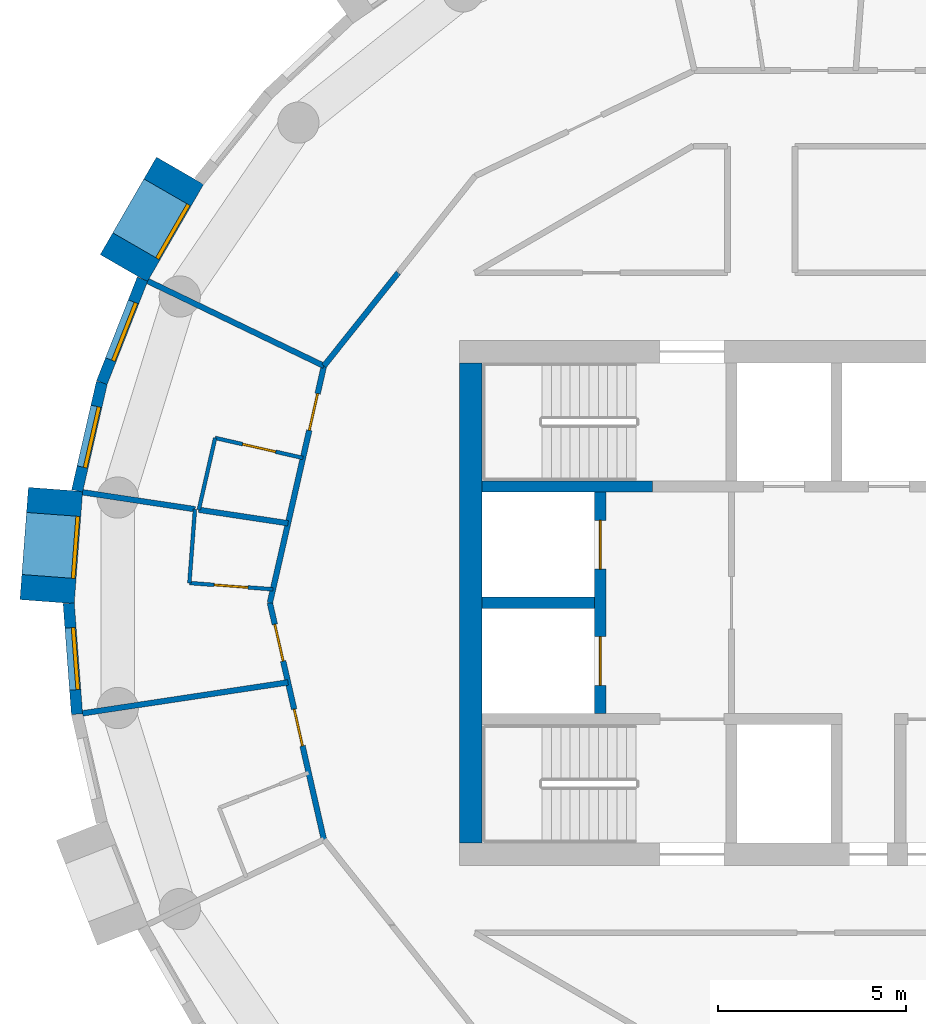
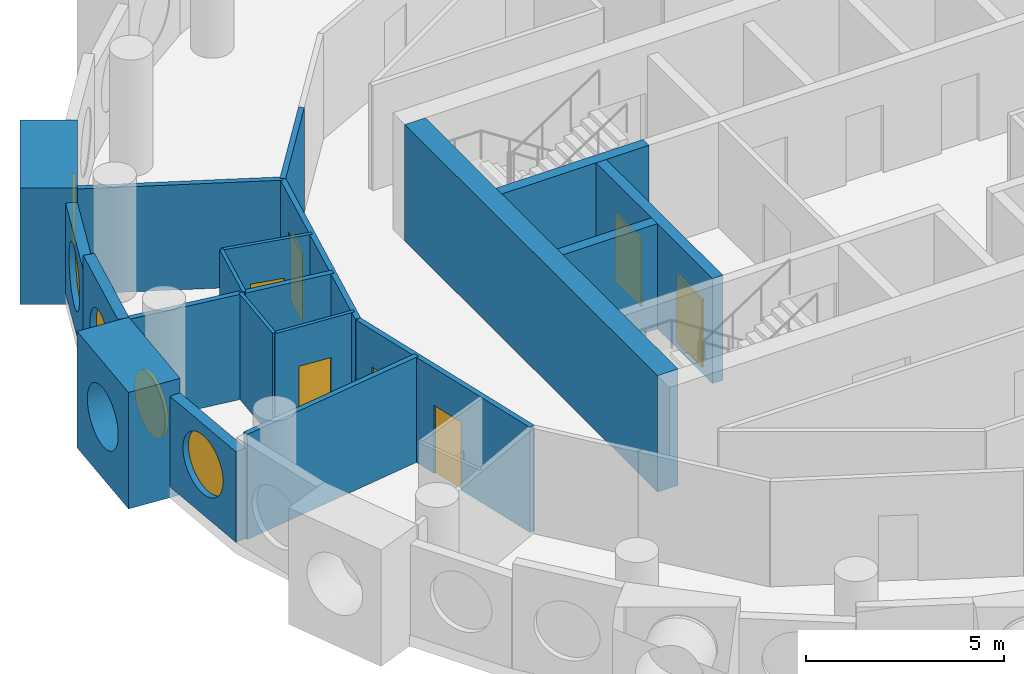
# One storey, part 5 of 12: 20 walls, 7 doors, 5 windows, 12 openings.
"""IFC4 building model written with IfcOpenShell, lengths in metres."""

from ifc_helpers import new_model, si_unit, direction, frame, frame_2d, origin, origin_2d, place, context, subcontext, project, spatial, rectangle, circle, extrude, material, layer, layer_set, type_object, element, fill, save


model = new_model("IFC4")

# Units and contexts
model_context = context("Model", 3, precision=1e-05, world=origin(), true_north=direction((0.0, 1.0)))
body_context = subcontext(model_context, "Body", "Model", "MODEL_VIEW")
ifc_project = project(units=[si_unit("LENGTHUNIT", "METRE"), si_unit("AREAUNIT", "SQUARE_METRE"), si_unit("VOLUMEUNIT", "CUBIC_METRE"), si_unit("PLANEANGLEUNIT", "RADIAN"), si_unit("MASSUNIT", "GRAM", prefix="KILO")], contexts=[model_context])

# Site, building, storey
site_placement = place(None, origin())
site = spatial("IfcSite", under=ifc_project, at=site_placement, CompositionType="ELEMENT")
building_placement = place(site_placement, origin())
building = spatial("IfcBuilding", under=site, at=building_placement, Name="Tracery Tower", CompositionType="ELEMENT")
storey_placement = place(building_placement, frame((0.0, 0.0, 249.0)))
storey = spatial("IfcBuildingStorey", under=building, at=storey_placement, Name="L64", CompositionType="ELEMENT", Elevation=249.0)

# Wall
ifc_material_1 = material(Name="Concrete C40/50", Category="concrete")
ifc_layer_1 = layer(ifc_material_1, 0.60009765625)
ifc_layer_set_1 = layer_set([ifc_layer_1], Name="Core wall 600 C40")
wall_type_1 = type_object("IfcWallType", Name="Core wall 600 C40", PredefinedType="SOLIDWALL", material=ifc_layer_set_1)
wall_1_placement = place(storey_placement, frame((-9.199951171875, -6.39990234375, 0.0), z_axis=(0.0, 0.0, 1.0), x_axis=(0.0, 1.0, 0.0)))
element("IfcWall", 1, at=wall_1_placement, inside=storey, type_object=wall_type_1, Name="L64 outer W", PredefinedType="SOLIDWALL", context=body_context, shape_type="SweptSolid", body=[
    extrude(rectangle(XDim=12.7998046875, YDim=0.60009765625, at=frame_2d((6.39990234375, 0.0))), origin(), (0.0, 0.0, 1.0), 3.60009765625),
])

# Wall, opening, window
ifc_material_2 = material(Name="Precast concrete C50/60", Category="concrete")
ifc_layer_2 = layer(ifc_material_2, 1.449951171875)
ifc_layer_set_2 = layer_set([ifc_layer_2], Name="Deep-set bay unit 3000 x 3600, slab edge 350")
wall_type_2 = type_object("IfcWallType", Name="Deep-set bay unit 3000 x 3600, slab edge 350", PredefinedType="ELEMENTEDWALL", material=ifc_layer_set_2)
wall_2_placement = place(storey_placement, frame((-16.952392578125, 11.51953125, -0.35009765625), z_axis=(0.0, 0.0, 1.0), x_axis=(-0.499990139034, -0.866031096941, 0.0)))
wall_2 = element("IfcWall", 2, at=wall_2_placement, inside=storey, type_object=wall_type_2, Name="Deep-set bay unit 18 at L64", PredefinedType="ELEMENTEDWALL", context=body_context, shape_type="SweptSolid", body=[
    extrude(rectangle(XDim=3.0, YDim=1.449951171875, at=frame_2d((1.5, 0.0))), origin(), (0.0, 0.0, 1.0), 3.60009765625),
])
opening_1_placement = place(wall_2_placement, frame((1.5, 0.0, 1.89990234375)))
opening_1 = element("IfcOpeningElement", 3, at=opening_1_placement, cuts=wall_2, Name="Opening WN1", PredefinedType="OPENING", context=body_context, shape_type="SweptSolid", body=[
    extrude(circle(Radius=0.9000244140625, at=origin_2d()), frame((0.0, 0.73486328125, 0.0), z_axis=(0.0, -1.0, 0.0), x_axis=(1.0, 0.0, 0.0)), (0.0, 0.0, 1.0), 1.469970703125),
])
ifc_material_3 = material(Name="Aluminium frame with tinted double glazing", Category="aluminium")
window_type = type_object("IfcWindowType", Name="Round window 1800", PartitioningType="SINGLE_PANEL", PredefinedType="WINDOW", material=ifc_material_3)
window_1_placement = place(opening_1_placement, origin())
window_1 = element("IfcWindow", 4, at=window_1_placement, inside=storey, type_object=window_type, Name="Round window 18 at L64", OverallHeight=1.800048828125, OverallWidth=1.800048828125, PartitioningType="SINGLE_PANEL", PredefinedType="WINDOW", context=body_context, shape_type="SweptSolid", body=[
    extrude(circle(Radius=0.9000244140625, at=origin_2d()), frame((0.0, 0.69482421875, 0.0), z_axis=(0.0, -1.0, 0.0), x_axis=(1.0, 0.0, 0.0)), (0.0, 0.0, 1.0), 0.10009765625),
])
fill(opening_1, window_1)

wall_3_placement = place(storey_placement, frame((-20.271728515625, 3.0234375, -0.35009765625), z_axis=(0.0, 0.0, 1.0), x_axis=(-0.074785902127, -0.997199613339, 0.0)))
wall_3 = element("IfcWall", 5, at=wall_3_placement, inside=storey, type_object=wall_type_2, Name="Deep-set bay unit 21 at L64", PredefinedType="ELEMENTEDWALL", context=body_context, shape_type="SweptSolid", body=[
    extrude(rectangle(XDim=3.0, YDim=1.449951171875, at=frame_2d((1.5, 0.0))), origin(), (0.0, 0.0, 1.0), 3.60009765625),
])
opening_2_placement = place(wall_3_placement, frame((1.5, 0.0, 1.89990234375)))
opening_2 = element("IfcOpeningElement", 6, at=opening_2_placement, cuts=wall_3, Name="Opening WN1", PredefinedType="OPENING", context=body_context, shape_type="SweptSolid", body=[
    extrude(circle(Radius=0.9000244140625, at=origin_2d()), frame((0.0, 0.73486328125, 0.0), z_axis=(0.0, -1.0, 0.0), x_axis=(1.0, 0.0, 0.0)), (0.0, 0.0, 1.0), 1.469970703125),
])
window_2_placement = place(opening_2_placement, origin())
window_2 = element("IfcWindow", 7, at=window_2_placement, inside=storey, type_object=window_type, Name="Round window 21 at L64", OverallHeight=1.800048828125, OverallWidth=1.800048828125, PartitioningType="SINGLE_PANEL", PredefinedType="WINDOW", context=body_context, shape_type="SweptSolid", body=[
    extrude(circle(Radius=0.9000244140625, at=origin_2d()), frame((0.0, 0.69482421875, 0.0), z_axis=(0.0, -1.0, 0.0), x_axis=(1.0, 0.0, 0.0)), (0.0, 0.0, 1.0), 0.10009765625),
])
fill(opening_2, window_2)

ifc_material_4 = material(Name="Precast concrete C50/60", Category="concrete")
ifc_layer_3 = layer(ifc_material_4, 0.300048828125)
ifc_layer_set_3 = layer_set([ifc_layer_3], Name="Facade panel 3000 x 2800")
wall_type_3 = type_object("IfcWallType", Name="Facade panel 3000 x 2800", PredefinedType="SOLIDWALL", material=ifc_layer_set_3)
wall_4_placement = place(storey_placement, frame((-17.95458984375, 8.62939453125, 0.0), z_axis=(0.0, 0.0, 1.0), x_axis=(-0.36530043032, -0.930889679612, 0.0)))
wall_4 = element("IfcWall", 8, at=wall_4_placement, inside=storey, type_object=wall_type_3, Name="Facade panel 19 at L64", PredefinedType="SOLIDWALL", context=body_context, shape_type="SweptSolid", body=[
    extrude(rectangle(XDim=2.9619140625, YDim=0.300048828125, at=frame_2d((1.48095703125, 0.0))), origin(), (0.0, 0.0, 1.0), 2.800048828125),
])
opening_3_placement = place(wall_4_placement, frame((1.48095703125, 0.0, 1.5498046875)))
opening_3 = element("IfcOpeningElement", 9, at=opening_3_placement, cuts=wall_4, Name="Opening WN1", PredefinedType="OPENING", context=body_context, shape_type="SweptSolid", body=[
    extrude(circle(Radius=0.9000244140625, at=origin_2d()), frame((0.0, 0.159912109375, 0.0), z_axis=(0.0, -1.0, 0.0), x_axis=(1.0, 0.0, 0.0)), (0.0, 0.0, 1.0), 0.320068359375),
])
window_3_placement = place(opening_3_placement, origin())
window_3 = element("IfcWindow", 10, at=window_3_placement, inside=storey, type_object=window_type, Name="Round window 19 at L64", OverallHeight=1.800048828125, OverallWidth=1.800048828125, PartitioningType="SINGLE_PANEL", PredefinedType="WINDOW", context=body_context, shape_type="SweptSolid", body=[
    extrude(circle(Radius=0.9000244140625, at=origin_2d()), frame((0.0, 0.1201171875, 0.0), z_axis=(0.0, -1.0, 0.0), x_axis=(1.0, 0.0, 0.0)), (0.0, 0.0, 1.0), 0.10009765625),
])
fill(opening_3, window_3)

wall_5_placement = place(storey_placement, frame((-19.920654296875, -0.01513671875, 0.0), z_axis=(0.0, 0.0, 1.0), x_axis=(0.07474897196, -0.997202382263, 0.0)))
wall_5 = element("IfcWall", 11, at=wall_5_placement, inside=storey, type_object=wall_type_3, Name="Facade panel 22 at L64", PredefinedType="SOLIDWALL", context=body_context, shape_type="SweptSolid", body=[
    extrude(rectangle(XDim=2.96240234375, YDim=0.300048828125, at=frame_2d((1.481201171875, 0.0))), origin(), (0.0, 0.0, 1.0), 2.800048828125),
])
opening_4_placement = place(wall_5_placement, frame((1.48095703125, 0.0, 1.5498046875)))
opening_4 = element("IfcOpeningElement", 12, at=opening_4_placement, cuts=wall_5, Name="Opening WN1", PredefinedType="OPENING", context=body_context, shape_type="SweptSolid", body=[
    extrude(circle(Radius=0.9000244140625, at=origin_2d()), frame((0.0, 0.159912109375, 0.0), z_axis=(0.0, -1.0, 0.0), x_axis=(1.0, 0.0, 0.0)), (0.0, 0.0, 1.0), 0.320068359375),
])
window_4_placement = place(opening_4_placement, origin())
window_4 = element("IfcWindow", 13, at=window_4_placement, inside=storey, type_object=window_type, Name="Round window 22 at L64", OverallHeight=1.800048828125, OverallWidth=1.800048828125, PartitioningType="SINGLE_PANEL", PredefinedType="WINDOW", context=body_context, shape_type="SweptSolid", body=[
    extrude(circle(Radius=0.9000244140625, at=origin_2d()), frame((0.0, 0.1201171875, 0.0), z_axis=(0.0, -1.0, 0.0), x_axis=(1.0, 0.0, 0.0)), (0.0, 0.0, 1.0), 0.10009765625),
])
fill(opening_4, window_4)

ifc_material_5 = material(Name="Precast concrete C50/60", Category="concrete")
ifc_layer_4 = layer(ifc_material_5, 0.300048828125)
ifc_layer_set_4 = layer_set([ifc_layer_4], Name="Facade panel 3000 x 3250")
wall_type_4 = type_object("IfcWallType", Name="Facade panel 3000 x 3250", PredefinedType="SOLIDWALL", material=ifc_layer_set_4)
wall_6_placement = place(storey_placement, frame((-19.03662109375, 5.8720703125, 0.0), z_axis=(0.0, 0.0, 1.0), x_axis=(-0.222529389789, -0.974925982155, 0.0)))
wall_6 = element("IfcWall", 14, at=wall_6_placement, inside=storey, type_object=wall_type_4, Name="Facade panel 20 at L64", PredefinedType="SOLIDWALL", context=body_context, shape_type="SweptSolid", body=[
    extrude(rectangle(XDim=2.962158203125, YDim=0.300048828125, at=frame_2d((1.48095703125, 0.0))), origin(), (0.0, 0.0, 1.0), 3.25),
])
opening_5_placement = place(wall_6_placement, frame((1.48095703125, 0.0, 1.5498046875)))
opening_5 = element("IfcOpeningElement", 15, at=opening_5_placement, cuts=wall_6, Name="Opening WN1", PredefinedType="OPENING", context=body_context, shape_type="SweptSolid", body=[
    extrude(circle(Radius=0.9000244140625, at=origin_2d()), frame((0.0, 0.159912109375, 0.0), z_axis=(0.0, -1.0, 0.0), x_axis=(1.0, 0.0, 0.0)), (0.0, 0.0, 1.0), 0.320068359375),
])
window_5_placement = place(opening_5_placement, origin())
window_5 = element("IfcWindow", 16, at=window_5_placement, inside=storey, type_object=window_type, Name="Round window 20 at L64", OverallHeight=1.800048828125, OverallWidth=1.800048828125, PartitioningType="SINGLE_PANEL", PredefinedType="WINDOW", context=body_context, shape_type="SweptSolid", body=[
    extrude(circle(Radius=0.9000244140625, at=origin_2d()), frame((0.0, 0.1201171875, 0.0), z_axis=(0.0, -1.0, 0.0), x_axis=(1.0, 0.0, 0.0)), (0.0, 0.0, 1.0), 0.10009765625),
])
fill(opening_5, window_5)

# Wall, opening, door
ifc_material_6 = material(Name="Plasterboard on steel studs", Category="steel")
ifc_layer_5 = layer(ifc_material_6, 0.10009765625)
ifc_layer_set_5 = layer_set([ifc_layer_5], Name="Partition 100 wet wall")
wall_type_5 = type_object("IfcWallType", Name="Partition 100 wet wall", PredefinedType="PARTITIONING", material=ifc_layer_set_5)
wall_7_placement = place(storey_placement, frame((-16.014892578125, 4.39599609375, 0.0), z_axis=(0.0, 0.0, 1.0), x_axis=(0.97493862442, -0.222473995368, 0.0)))
wall_7 = element("IfcWall", 17, at=wall_7_placement, inside=storey, type_object=wall_type_5, Name="Wet wall RC2-056", PredefinedType="PARTITIONING", context=body_context, shape_type="SweptSolid", body=[
    extrude(rectangle(XDim=2.39990234375, YDim=0.10009765625, at=frame_2d((1.199951171875, 0.0))), origin(), (0.0, 0.0, 1.0), 3.25),
])
opening_6_placement = place(wall_7_placement, frame((0.750244140625, 0.0, 0.0)))
opening_6 = element("IfcOpeningElement", 18, at=opening_6_placement, cuts=wall_7, Name="Opening RC2-12", PredefinedType="OPENING", context=body_context, shape_type="SweptSolid", body=[
    extrude(rectangle(XDim=0.89990234375, YDim=2.0400390625, at=frame_2d((0.449951171875, 1.02001953125))), frame((0.0, 0.050048828125, 0.0), z_axis=(0.0, -1.0, 0.0), x_axis=(1.0, 0.0, 0.0)), (0.0, 0.0, 1.0), 0.10009765625),
])
ifc_material_7 = material(Name="Timber door leaf", Category="wood")
door_type_1 = type_object("IfcDoorType", Name="Door en-suite 900", OperationType="NOTDEFINED", PredefinedType="DOOR", material=ifc_material_7)
door_1_placement = place(opening_6_placement, origin())
door_1 = element("IfcDoor", 19, at=door_1_placement, inside=storey, type_object=door_type_1, Name="En-suite door RC2-12", OperationType="SINGLE_SWING_LEFT", OverallHeight=2.0400390625, OverallWidth=0.89990234375, PredefinedType="DOOR", context=body_context, shape_type="SweptSolid", body=[
    extrude(rectangle(XDim=0.89990234375, YDim=2.0400390625, at=frame_2d((0.449951171875, 1.02001953125))), frame((0.0, 0.02490234375, 0.0), z_axis=(0.0, -1.0, 0.0), x_axis=(1.0, 0.0, 0.0)), (0.0, 0.0, 1.0), 0.050048828125),
])
fill(opening_6, door_1)

# Walls
wall_8_placement = place(storey_placement, frame((-16.451904296875, 2.47998046875, 0.0), z_axis=(0.0, 0.0, 1.0), x_axis=(0.22237276708, 0.974961718459, 0.0)))
element("IfcWall", 20, at=wall_8_placement, inside=storey, type_object=wall_type_5, Name="Wet wall RC2-057", PredefinedType="PARTITIONING", context=body_context, shape_type="SweptSolid", body=[
    extrude(rectangle(XDim=1.96533203125, YDim=0.10009765625, at=frame_2d((0.982666015625, 0.0))), origin(), (0.0, 0.0, 1.0), 3.25),
])
wall_9_placement = place(storey_placement, frame((-16.702880859375, 0.527099609375, 0.0), z_axis=(0.0, 0.0, 1.0), x_axis=(0.07496524071, 0.99718614746, 0.0)))
element("IfcWall", 21, at=wall_9_placement, inside=storey, type_object=wall_type_5, Name="Wet wall RC2-060", PredefinedType="PARTITIONING", context=body_context, shape_type="SweptSolid", body=[
    extrude(rectangle(XDim=1.9736328125, YDim=0.10009765625, at=frame_2d((0.98681640625, 0.0))), origin(), (0.0, 0.0, 1.0), 3.25),
])

# Wall, opening, door
wall_10_placement = place(storey_placement, frame((-16.702880859375, 0.527099609375, 0.0), z_axis=(0.0, 0.0, 1.0), x_axis=(0.997202365433, -0.074749196488, 0.0)))
wall_10 = element("IfcWall", 22, at=wall_10_placement, inside=storey, type_object=wall_type_5, Name="Wet wall RC2-061", PredefinedType="PARTITIONING", context=body_context, shape_type="SweptSolid", body=[
    extrude(rectangle(XDim=2.234130859375, YDim=0.10009765625, at=frame_2d((1.1171875, 0.0))), origin(), (0.0, 0.0, 1.0), 3.25),
])
opening_7_placement = place(wall_10_placement, frame((0.6669921875, 0.0, 0.0)))
opening_7 = element("IfcOpeningElement", 23, at=opening_7_placement, cuts=wall_10, Name="Opening RC2-14", PredefinedType="OPENING", context=body_context, shape_type="SweptSolid", body=[
    extrude(rectangle(XDim=0.89990234375, YDim=2.0400390625, at=frame_2d((0.449951171875, 1.02001953125))), frame((0.0, 0.050048828125, 0.0), z_axis=(0.0, -1.0, 0.0), x_axis=(1.0, 0.0, 0.0)), (0.0, 0.0, 1.0), 0.10009765625),
])
door_2_placement = place(opening_7_placement, origin())
door_2 = element("IfcDoor", 24, at=door_2_placement, inside=storey, type_object=door_type_1, Name="En-suite door RC2-14", OperationType="SINGLE_SWING_LEFT", OverallHeight=2.0400390625, OverallWidth=0.89990234375, PredefinedType="DOOR", context=body_context, shape_type="SweptSolid", body=[
    extrude(rectangle(XDim=0.89990234375, YDim=2.0400390625, at=frame_2d((0.449951171875, 1.02001953125))), frame((0.0, 0.02490234375, 0.0), z_axis=(0.0, -1.0, 0.0), x_axis=(1.0, 0.0, 0.0)), (0.0, 0.0, 1.0), 0.050048828125),
])
fill(opening_7, door_2)

# Walls
ifc_material_8 = material(Name="Plasterboard on steel studs", Category="steel")
ifc_layer_6 = layer(ifc_material_8, 0.14990234375)
ifc_layer_set_6 = layer_set([ifc_layer_6], Name="Partition 150 acoustic unit wall")
wall_type_6 = type_object("IfcWallType", Name="Partition 150 acoustic unit wall", PredefinedType="PARTITIONING", material=ifc_layer_set_6)
wall_11_placement = place(storey_placement, frame((-17.81298828125, 8.577880859375, 0.0), z_axis=(0.0, 0.0, 1.0), x_axis=(0.901004381064, -0.433809987557, 0.0)))
element("IfcWall", 25, at=wall_11_placement, inside=storey, type_object=wall_type_6, Name="Unit wall RC2-055", PredefinedType="PARTITIONING", context=body_context, shape_type="SweptSolid", body=[
    extrude(rectangle(XDim=5.214111328125, YDim=0.14990234375, at=frame_2d((2.60693359375, 0.0))), origin(), (0.0, 0.0, 1.0), 3.25),
])
wall_12_placement = place(storey_placement, frame((-19.551025390625, 2.947021484375, 0.0), z_axis=(0.0, 0.0, 1.0), x_axis=(0.988844081525, -0.14895429646, 0.0)))
element("IfcWall", 26, at=wall_12_placement, inside=storey, type_object=wall_type_6, Name="Unit wall RC2-058", PredefinedType="PARTITIONING", context=body_context, shape_type="SweptSolid", body=[
    extrude(rectangle(XDim=3.033935546875, YDim=0.14990234375, at=frame_2d((1.51708984375, 0.0))), origin(), (0.0, 0.0, 1.0), 3.25),
])
wall_13_placement = place(storey_placement, frame((-16.451904296875, 2.47998046875, 0.0), z_axis=(0.0, 0.0, 1.0), x_axis=(0.988810951618, -0.149174065977, 0.0)))
element("IfcWall", 27, at=wall_13_placement, inside=storey, type_object=wall_type_6, Name="Unit wall RC2-059", PredefinedType="PARTITIONING", context=body_context, shape_type="SweptSolid", body=[
    extrude(rectangle(XDim=2.40576171875, YDim=0.14990234375, at=frame_2d((1.202880859375, 0.0))), origin(), (0.0, 0.0, 1.0), 3.25),
])
wall_14_placement = place(storey_placement, frame((-19.551025390625, -2.947021484375, 0.0), z_axis=(0.0, 0.0, 1.0), x_axis=(0.988824228734, 0.149086031099, 0.0)))
element("IfcWall", 28, at=wall_14_placement, inside=storey, type_object=wall_type_6, Name="Unit wall RC2-062", PredefinedType="PARTITIONING", context=body_context, shape_type="SweptSolid", body=[
    extrude(rectangle(XDim=5.5400390625, YDim=0.14990234375, at=frame_2d((2.77001953125, 0.0))), origin(), (0.0, 0.0, 1.0), 3.25),
])
ifc_material_9 = material(Name="Plasterboard on steel studs", Category="steel")
ifc_layer_7 = layer(ifc_material_9, 0.14990234375)
ifc_layer_set_7 = layer_set([ifc_layer_7], Name="Partition 150 corridor wall")
wall_type_7 = type_object("IfcWallType", Name="Partition 150 corridor wall", PredefinedType="PARTITIONING", material=ifc_layer_set_7)
wall_15_placement = place(storey_placement, frame((-13.114990234375, 6.31591796875, 0.0), z_axis=(0.0, 0.0, 1.0), x_axis=(0.623476099415, 0.781842409606, 0.0)))
element("IfcWall", 29, at=wall_15_placement, inside=storey, type_object=wall_type_7, Name="Corridor wall RC2-033", PredefinedType="PARTITIONING", context=body_context, shape_type="SweptSolid", body=[
    extrude(rectangle(XDim=3.17724609375, YDim=0.14990234375, at=frame_2d((1.588623046875, 0.0))), origin(), (0.0, 0.0, 1.0), 3.25),
])

# Wall, opening, door
wall_16_placement = place(storey_placement, frame((-14.556640625, 0.0, 0.0), z_axis=(0.0, 0.0, 1.0), x_axis=(0.222533159771, 0.974925121639, 0.0)))
wall_16 = element("IfcWall", 30, at=wall_16_placement, inside=storey, type_object=wall_type_7, Name="Corridor wall RC2-034", PredefinedType="PARTITIONING", context=body_context, shape_type="SweptSolid", body=[
    extrude(rectangle(XDim=6.478271484375, YDim=0.14990234375, at=frame_2d((3.2392578125, 0.0))), origin(), (0.0, 0.0, 1.0), 3.25),
])
opening_8_placement = place(wall_16_placement, frame((4.71826171875, 0.0, 0.0)))
opening_8 = element("IfcOpeningElement", 31, at=opening_8_placement, cuts=wall_16, Name="Opening RC2-13", PredefinedType="OPENING", context=body_context, shape_type="SweptSolid", body=[
    extrude(rectangle(XDim=1.0, YDim=2.10009765625, at=frame_2d((0.5, 1.050048828125))), frame((0.0, 0.074951171875, 0.0), z_axis=(0.0, -1.0, 0.0), x_axis=(1.0, 0.0, 0.0)), (0.0, 0.0, 1.0), 0.14990234375),
])
ifc_material_10 = material(Name="Timber door leaf", Category="wood")
door_type_2 = type_object("IfcDoorType", Name="Door unit entrance 1000", OperationType="NOTDEFINED", PredefinedType="DOOR", material=ifc_material_10)
door_3_placement = place(opening_8_placement, origin())
door_3 = element("IfcDoor", 32, at=door_3_placement, inside=storey, type_object=door_type_2, Name="Unit entrance door RC2-13", OperationType="SINGLE_SWING_RIGHT", OverallHeight=2.10009765625, OverallWidth=1.0, PredefinedType="DOOR", context=body_context, shape_type="SweptSolid", body=[
    extrude(rectangle(XDim=1.0, YDim=2.10009765625, at=frame_2d((0.5, 1.050048828125))), frame((0.0, 0.02490234375, 0.0), z_axis=(0.0, -1.0, 0.0), x_axis=(1.0, 0.0, 0.0)), (0.0, 0.0, 1.0), 0.050048828125),
])
fill(opening_8, door_3)

# Wall, openings, doors
wall_17_placement = place(storey_placement, frame((-14.556884765625, 0.0, 0.0), z_axis=(0.0, 0.0, 1.0), x_axis=(0.222489165471, -0.974935162587, 0.0)))
wall_17 = element("IfcWall", 33, at=wall_17_placement, inside=storey, type_object=wall_type_7, Name="Corridor wall RC2-035", PredefinedType="PARTITIONING", context=body_context, shape_type="SweptSolid", body=[
    extrude(rectangle(XDim=6.478515625, YDim=0.14990234375, at=frame_2d((3.2392578125, 0.0))), origin(), (0.0, 0.0, 1.0), 3.25),
])
opening_9_placement = place(wall_17_placement, frame((0.589599609375, 0.0, 0.0)))
opening_9 = element("IfcOpeningElement", 34, at=opening_9_placement, cuts=wall_17, Name="Opening RC2-15", PredefinedType="OPENING", context=body_context, shape_type="SweptSolid", body=[
    extrude(rectangle(XDim=1.0, YDim=2.10009765625, at=frame_2d((0.5, 1.050048828125))), frame((0.0, 0.074951171875, 0.0), z_axis=(0.0, -1.0, 0.0), x_axis=(1.0, 0.0, 0.0)), (0.0, 0.0, 1.0), 0.14990234375),
])
opening_10_placement = place(wall_17_placement, frame((2.91162109375, 0.0, 0.0)))
opening_10 = element("IfcOpeningElement", 35, at=opening_10_placement, cuts=wall_17, Name="Opening RC2-17", PredefinedType="OPENING", context=body_context, shape_type="SweptSolid", body=[
    extrude(rectangle(XDim=1.0, YDim=2.10009765625, at=frame_2d((0.5, 1.050048828125))), frame((0.0, 0.074951171875, 0.0), z_axis=(0.0, -1.0, 0.0), x_axis=(1.0, 0.0, 0.0)), (0.0, 0.0, 1.0), 0.14990234375),
])
door_4_placement = place(opening_9_placement, origin())
door_4 = element("IfcDoor", 36, at=door_4_placement, inside=storey, type_object=door_type_2, Name="Unit entrance door RC2-15", OperationType="SINGLE_SWING_RIGHT", OverallHeight=2.10009765625, OverallWidth=1.0, PredefinedType="DOOR", context=body_context, shape_type="SweptSolid", body=[
    extrude(rectangle(XDim=1.0, YDim=2.10009765625, at=frame_2d((0.5, 1.050048828125))), frame((0.0, 0.02490234375, 0.0), z_axis=(0.0, -1.0, 0.0), x_axis=(1.0, 0.0, 0.0)), (0.0, 0.0, 1.0), 0.050048828125),
])
fill(opening_9, door_4)
door_5_placement = place(opening_10_placement, origin())
door_5 = element("IfcDoor", 37, at=door_5_placement, inside=storey, type_object=door_type_2, Name="Unit entrance door RC2-17", OperationType="SINGLE_SWING_LEFT", OverallHeight=2.10009765625, OverallWidth=1.0, PredefinedType="DOOR", context=body_context, shape_type="SweptSolid", body=[
    extrude(rectangle(XDim=1.0, YDim=2.10009765625, at=frame_2d((0.5, 1.050048828125))), frame((0.0, 0.02490234375, 0.0), z_axis=(0.0, -1.0, 0.0), x_axis=(1.0, 0.0, 0.0)), (0.0, 0.0, 1.0), 0.050048828125),
])
fill(opening_10, door_5)

# Wall
ifc_material_11 = material(Name="Concrete C40/50", Category="concrete")
ifc_layer_8 = layer(ifc_material_11, 0.300048828125)
ifc_layer_set_8 = layer_set([ifc_layer_8], Name="Shaft wall 300 C40")
wall_type_8 = type_object("IfcWallType", Name="Shaft wall 300 C40", PredefinedType="SOLIDWALL", material=ifc_layer_set_8)
wall_18_placement = place(storey_placement, frame((-8.89990234375, 0.0, 0.0), z_axis=(0.0, 0.0, 1.0), x_axis=(1.0, 0.0, 0.0)))
element("IfcWall", 38, at=wall_18_placement, inside=storey, type_object=wall_type_8, Name="L64 FF split", PredefinedType="SOLIDWALL", context=body_context, shape_type="SweptSolid", body=[
    extrude(rectangle(XDim=3.0, YDim=0.300048828125, at=frame_2d((1.5, 0.0))), origin(), (0.0, 0.0, 1.0), 3.25),
])

# Wall, openings, doors
wall_19_placement = place(storey_placement, frame((-5.75, -2.949951171875, 0.0), z_axis=(0.0, 0.0, 1.0), x_axis=(0.0, 1.0, 0.0)))
wall_19 = element("IfcWall", 39, at=wall_19_placement, inside=storey, type_object=wall_type_8, Name="L64 FF doors", PredefinedType="SOLIDWALL", context=body_context, shape_type="SweptSolid", body=[
    extrude(rectangle(XDim=5.89990234375, YDim=0.300048828125, at=frame_2d((2.949951171875, 0.0))), origin(), (0.0, 0.0, 1.0), 3.25),
])
opening_11_placement = place(wall_19_placement, frame((0.75, 0.0, 0.0)))
opening_11 = element("IfcOpeningElement", 40, at=opening_11_placement, cuts=wall_19, Name="Opening KD54", PredefinedType="OPENING", context=body_context, shape_type="SweptSolid", body=[
    extrude(rectangle(XDim=1.300048828125, YDim=2.10009765625, at=frame_2d((0.64990234375, 1.050048828125))), frame((0.0, 0.14990234375, 0.0), z_axis=(0.0, -1.0, 0.0), x_axis=(1.0, 0.0, 0.0)), (0.0, 0.0, 1.0), 0.300048828125),
])
opening_12_placement = place(wall_19_placement, frame((3.85009765625, 0.0, 0.0)))
opening_12 = element("IfcOpeningElement", 41, at=opening_12_placement, cuts=wall_19, Name="Opening KD55", PredefinedType="OPENING", context=body_context, shape_type="SweptSolid", body=[
    extrude(rectangle(XDim=1.300048828125, YDim=2.10009765625, at=frame_2d((0.64990234375, 1.050048828125))), frame((0.0, 0.14990234375, 0.0), z_axis=(0.0, -1.0, 0.0), x_axis=(1.0, 0.0, 0.0)), (0.0, 0.0, 1.0), 0.300048828125),
])
ifc_material_12 = material(Name="Steel fire door", Category="steel")
door_type_3 = type_object("IfcDoorType", Name="Landing door FF 1300", OperationType="NOTDEFINED", PredefinedType="DOOR", material=ifc_material_12)
door_6_placement = place(opening_11_placement, origin())
door_6 = element("IfcDoor", 42, at=door_6_placement, inside=storey, type_object=door_type_3, Name="Landing door FF1", OperationType="SLIDING_TO_LEFT", OverallHeight=2.10009765625, OverallWidth=1.300048828125, PredefinedType="DOOR", context=body_context, shape_type="SweptSolid", body=[
    extrude(rectangle(XDim=1.300048828125, YDim=2.10009765625, at=frame_2d((0.64990234375, 1.050048828125))), frame((0.0, 0.02490234375, 0.0), z_axis=(0.0, -1.0, 0.0), x_axis=(1.0, 0.0, 0.0)), (0.0, 0.0, 1.0), 0.050048828125),
])
fill(opening_11, door_6)
door_7_placement = place(opening_12_placement, origin())
door_7 = element("IfcDoor", 43, at=door_7_placement, inside=storey, type_object=door_type_3, Name="Landing door FF2", OperationType="SLIDING_TO_RIGHT", OverallHeight=2.10009765625, OverallWidth=1.300048828125, PredefinedType="DOOR", context=body_context, shape_type="SweptSolid", body=[
    extrude(rectangle(XDim=1.300048828125, YDim=2.10009765625, at=frame_2d((0.64990234375, 1.050048828125))), frame((0.0, 0.02490234375, 0.0), z_axis=(0.0, -1.0, 0.0), x_axis=(1.0, 0.0, 0.0)), (0.0, 0.0, 1.0), 0.050048828125),
])
fill(opening_12, door_7)

# Wall
ifc_material_13 = material(Name="Concrete C40/50", Category="concrete")
ifc_layer_9 = layer(ifc_material_13, 0.300048828125)
ifc_layer_set_9 = layer_set([ifc_layer_9], Name="Stair wall 300 C40")
wall_type_9 = type_object("IfcWallType", Name="Stair wall 300 C40", PredefinedType="SOLIDWALL", material=ifc_layer_set_9)
wall_20_placement = place(storey_placement, frame((-8.89990234375, 3.10009765625, 0.0), z_axis=(0.0, 0.0, 1.0), x_axis=(1.0, 0.0, 0.0)))
element("IfcWall", 44, at=wall_20_placement, inside=storey, type_object=wall_type_9, Name="L64 row N W", PredefinedType="SOLIDWALL", context=body_context, shape_type="SweptSolid", body=[
    extrude(rectangle(XDim=4.5498046875, YDim=0.300048828125, at=frame_2d((2.27490234375, 0.0))), origin(), (0.0, 0.0, 1.0), 3.25),
])

save(model, "model.ifc")
